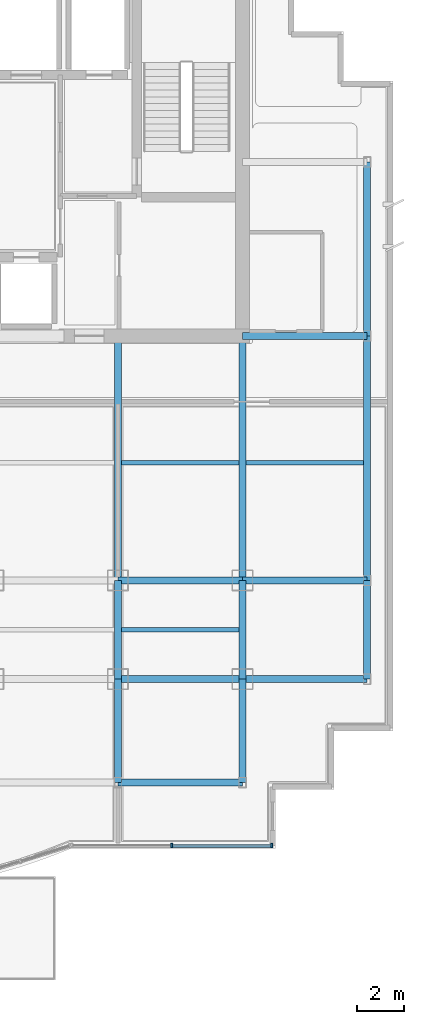
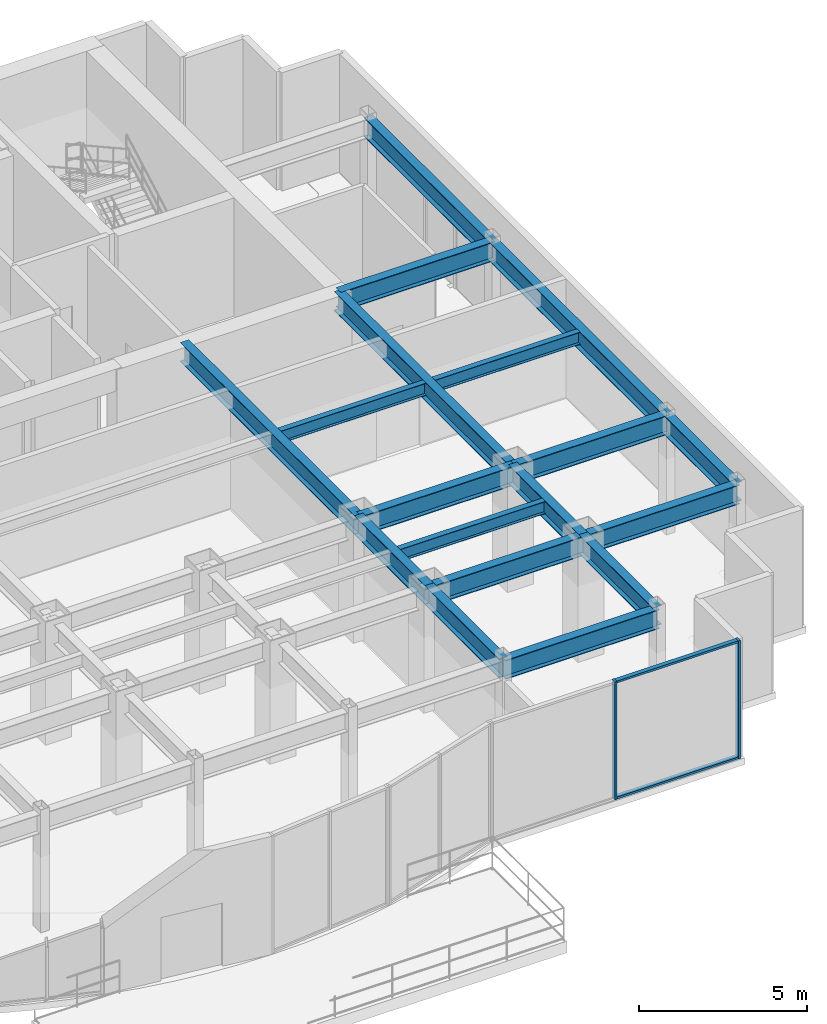
# One storey, part 4 of 9: 18 beams, 4 members, 1 element without a shape of its own.
"""IFC4 building model written with IfcOpenShell, lengths in metres."""

from ifc_helpers import new_model, si_unit, direction, frame, origin, origin_2d, place, context, subcontext, project, spatial, rectangle, i_section, extrude, source, transform, mapped, material, layer, layer_set, material_profile, profile_set, type_object, element, aggregate, save


model = new_model("IFC4")

# Units and contexts
model_context = context("Model", 3, precision=1e-05, world=origin(), true_north=direction((0.0, 1.0)))
body_context = subcontext(model_context, "Body", "Model", "MODEL_VIEW")
ifc_project = project(units=[si_unit("LENGTHUNIT", "METRE"), si_unit("AREAUNIT", "SQUARE_METRE"), si_unit("VOLUMEUNIT", "CUBIC_METRE"), si_unit("PLANEANGLEUNIT", "RADIAN"), si_unit("MASSUNIT", "GRAM", prefix="KILO")], contexts=[model_context])

# Site, building, storey
site_placement = place(None, origin())
site = spatial("IfcSite", under=ifc_project, at=site_placement, CompositionType="ELEMENT")
building_placement = place(site_placement, origin())
building = spatial("IfcBuilding", under=site, at=building_placement, Name="Qianlan Lanfeng Residences", CompositionType="ELEMENT")
storey_placement = place(building_placement, frame((0.0, 0.0, 134.699951171875)))
storey = spatial("IfcBuildingStorey", under=building, at=storey_placement, Name="L36", CompositionType="ELEMENT", Elevation=134.699951171875)

# Beams
ifc_material_1 = material(Name="Steel SN490B", Category="steel")
ifc_material_profile_1 = material_profile(ifc_material_1, i_section(OverallWidth=0.300048828125, OverallDepth=0.699951171875, WebThickness=0.012939453125, FlangeThickness=0.02392578125, at=origin_2d()), Name="H 700x300x13x24")
ifc_profile_set_1 = profile_set([ifc_material_profile_1], Name="Steel SN490B")
beam_type_1 = type_object("IfcBeamType", Name="G-750", PredefinedType="BEAM", material=ifc_profile_set_1)
beam_1_placement = place(storey_placement, frame((37.10009765625, 10.60009765625, 3.949951171875), z_axis=(1.0, 0.0, 0.0), x_axis=(0.0, 1.0, 0.0)))
element("IfcBeam", 1, at=beam_1_placement, inside=storey, type_object=beam_type_1, Name="Structural beam G-750", PredefinedType="BEAM", context=body_context, shape_type="SweptSolid", body=[
    extrude(i_section(OverallWidth=0.300048828125, OverallDepth=0.699951171875, WebThickness=0.012939453125, FlangeThickness=0.02392578125, at=origin_2d()), origin(), (0.0, 0.0, 1.0), 5.2998046875),
])
beam_2_placement = place(storey_placement, frame((42.39990234375, 10.60009765625, 3.949951171875), z_axis=(1.0, 0.0, 0.0), x_axis=(0.0, 1.0, 0.0)))
element("IfcBeam", 2, at=beam_2_placement, inside=storey, type_object=beam_type_1, Name="Structural beam G-750", PredefinedType="BEAM", context=body_context, shape_type="SweptSolid", body=[
    extrude(i_section(OverallWidth=0.300048828125, OverallDepth=0.699951171875, WebThickness=0.012939453125, FlangeThickness=0.02392578125, at=origin_2d()), origin(), (0.0, 0.0, 1.0), 5.300048828125),
])
beam_3_placement = place(storey_placement, frame((37.10009765625, 14.800048828125, 3.949951171875), z_axis=(1.0, 0.0, 0.0), x_axis=(0.0, 1.0, 0.0)))
element("IfcBeam", 3, at=beam_3_placement, inside=storey, type_object=beam_type_1, Name="Structural beam G-750", PredefinedType="BEAM", context=body_context, shape_type="SweptSolid", body=[
    extrude(i_section(OverallWidth=0.300048828125, OverallDepth=0.699951171875, WebThickness=0.012939453125, FlangeThickness=0.02392578125, at=origin_2d()), origin(), (0.0, 0.0, 1.0), 5.2998046875),
])
for number, where, z_axis, x_axis, name in (
    (4, (42.39990234375, 14.800048828125, 3.949951171875), (1.0, 0.0, 0.0), (0.0, 1.0, 0.0), "Structural beam G-750"),
    (5, (42.39990234375, 25.199951171875, 3.949951171875), (1.0, 0.0, 0.0), (0.0, 1.0, 0.0), "Structural beam G-750"),
):
    element("IfcBeam", number, at=place(storey_placement, frame(where, z_axis=z_axis, x_axis=x_axis)), inside=storey, type_object=beam_type_1, Name=name, PredefinedType="BEAM", context=body_context, shape_type="SweptSolid", body=[
        extrude(i_section(OverallWidth=0.300048828125, OverallDepth=0.699951171875, WebThickness=0.012939453125, FlangeThickness=0.02392578125, at=origin_2d()), origin(), (0.0, 0.0, 1.0), 5.300048828125),
    ])
beam_4_placement = place(storey_placement, frame((37.10009765625, 6.199951171875, 3.949951171875), z_axis=(0.0, 1.0, 0.0), x_axis=(-1.0, 0.0, 0.0)))
element("IfcBeam", 6, at=beam_4_placement, inside=storey, type_object=beam_type_1, Name="Structural beam G-750", PredefinedType="BEAM", context=body_context, shape_type="SweptSolid", body=[
    extrude(i_section(OverallWidth=0.300048828125, OverallDepth=0.699951171875, WebThickness=0.012939453125, FlangeThickness=0.02392578125, at=origin_2d()), origin(), (0.0, 0.0, 1.0), 4.400146484375),
])
beam_5_placement = place(storey_placement, frame((37.10009765625, 10.60009765625, 3.949951171875), z_axis=(0.0, 1.0, 0.0), x_axis=(-1.0, 0.0, 0.0)))
element("IfcBeam", 7, at=beam_5_placement, inside=storey, type_object=beam_type_1, Name="Structural beam G-750", PredefinedType="BEAM", context=body_context, shape_type="SweptSolid", body=[
    extrude(i_section(OverallWidth=0.300048828125, OverallDepth=0.699951171875, WebThickness=0.012939453125, FlangeThickness=0.02392578125, at=origin_2d()), origin(), (0.0, 0.0, 1.0), 4.199951171875),
])
beam_6_placement = place(storey_placement, frame((37.10009765625, 14.800048828125, 3.949951171875), z_axis=(0.0, 1.0, 0.0), x_axis=(-1.0, 0.0, 0.0)))
element("IfcBeam", 8, at=beam_6_placement, inside=storey, type_object=beam_type_1, Name="Structural beam G-750", PredefinedType="BEAM", context=body_context, shape_type="SweptSolid", body=[
    extrude(i_section(OverallWidth=0.300048828125, OverallDepth=0.699951171875, WebThickness=0.012939453125, FlangeThickness=0.02392578125, at=origin_2d()), origin(), (0.0, 0.0, 1.0), 10.39990234375),
])
beam_7_placement = place(storey_placement, frame((42.39990234375, 6.199951171875, 3.949951171875), z_axis=(0.0, 1.0, 0.0), x_axis=(-1.0, 0.0, 0.0)))
element("IfcBeam", 9, at=beam_7_placement, inside=storey, type_object=beam_type_1, Name="Structural beam G-750", PredefinedType="BEAM", context=body_context, shape_type="SweptSolid", body=[
    extrude(i_section(OverallWidth=0.300048828125, OverallDepth=0.699951171875, WebThickness=0.012939453125, FlangeThickness=0.02392578125, at=origin_2d()), origin(), (0.0, 0.0, 1.0), 4.400146484375),
])
beam_8_placement = place(storey_placement, frame((42.39990234375, 10.60009765625, 3.949951171875), z_axis=(0.0, 1.0, 0.0), x_axis=(-1.0, 0.0, 0.0)))
element("IfcBeam", 10, at=beam_8_placement, inside=storey, type_object=beam_type_1, Name="Structural beam G-750", PredefinedType="BEAM", context=body_context, shape_type="SweptSolid", body=[
    extrude(i_section(OverallWidth=0.300048828125, OverallDepth=0.699951171875, WebThickness=0.012939453125, FlangeThickness=0.02392578125, at=origin_2d()), origin(), (0.0, 0.0, 1.0), 4.199951171875),
])
beam_9_placement = place(storey_placement, frame((42.39990234375, 14.800048828125, 3.949951171875), z_axis=(0.0, 1.0, 0.0), x_axis=(-1.0, 0.0, 0.0)))
element("IfcBeam", 11, at=beam_9_placement, inside=storey, type_object=beam_type_1, Name="Structural beam G-750", PredefinedType="BEAM", context=body_context, shape_type="SweptSolid", body=[
    extrude(i_section(OverallWidth=0.300048828125, OverallDepth=0.699951171875, WebThickness=0.012939453125, FlangeThickness=0.02392578125, at=origin_2d()), origin(), (0.0, 0.0, 1.0), 10.39990234375),
])
ifc_material_profile_2 = material_profile(ifc_material_1, i_section(OverallWidth=0.199951171875, OverallDepth=0.449951171875, WebThickness=0.009033203125, FlangeThickness=0.013916015625, at=origin_2d()), Name="H 450x200x9x14")
ifc_profile_set_2 = profile_set([ifc_material_profile_2], Name="Steel SN490B")
beam_type_2 = type_object("IfcBeamType", Name="J-450", PredefinedType="JOIST", material=ifc_profile_set_2)
for number, where, z_axis, x_axis, name in (
    (12, (37.25, 12.699951171875, 4.074951171875), (1.0, 0.0, 0.0), (0.0, 1.0, 0.0), "Structural beam J-450"),
    (13, (37.25, 19.800048828125, 4.074951171875), (1.0, 0.0, 0.0), (0.0, 1.0, 0.0), "Structural beam J-450"),
    (14, (42.550048828125, 19.800048828125, 4.074951171875), (1.0, 0.0, 0.0), (0.0, 1.0, 0.0), "Structural beam J-450"),
):
    element("IfcBeam", number, at=place(storey_placement, frame(where, z_axis=z_axis, x_axis=x_axis)), inside=storey, type_object=beam_type_2, Name=name, PredefinedType="JOIST", context=body_context, shape_type="SweptSolid", body=[
        extrude(i_section(OverallWidth=0.199951171875, OverallDepth=0.449951171875, WebThickness=0.009033203125, FlangeThickness=0.013916015625, at=origin_2d()), origin(), (0.0, 0.0, 1.0), 5.0),
    ])
ifc_material_profile_3 = material_profile(ifc_material_1, i_section(OverallWidth=0.300048828125, OverallDepth=0.699951171875, WebThickness=0.012939453125, FlangeThickness=0.02392578125, at=origin_2d()), Name="H 700x300x13x24")
ifc_profile_set_3 = profile_set([ifc_material_profile_3], Name="Steel SN490B")
beam_type_3 = type_object("IfcBeamType", Name="SG-750", PredefinedType="SPANDREL", material=ifc_profile_set_3)
beam_10_placement = place(storey_placement, frame((37.10009765625, 6.199951171875, 3.93994140625), z_axis=(1.0, 0.0, 0.0), x_axis=(0.0, 1.0, 0.0)))
element("IfcBeam", 15, at=beam_10_placement, inside=storey, type_object=beam_type_3, Name="Structural beam SG-750", PredefinedType="SPANDREL", context=body_context, shape_type="SweptSolid", body=[
    extrude(i_section(OverallWidth=0.300048828125, OverallDepth=0.699951171875, WebThickness=0.012939453125, FlangeThickness=0.02392578125, at=origin_2d()), origin(), (0.0, 0.0, 1.0), 5.2998046875),
])
beam_11_placement = place(storey_placement, frame((47.699951171875, 10.60009765625, 3.93994140625), z_axis=(0.0, 1.0, 0.0), x_axis=(-1.0, 0.0, 0.0)))
element("IfcBeam", 16, at=beam_11_placement, inside=storey, type_object=beam_type_3, Name="Structural beam SG-750", PredefinedType="SPANDREL", context=body_context, shape_type="SweptSolid", body=[
    extrude(i_section(OverallWidth=0.300048828125, OverallDepth=0.699951171875, WebThickness=0.012939453125, FlangeThickness=0.02392578125, at=origin_2d()), origin(), (0.0, 0.0, 1.0), 4.199951171875),
])
beam_12_placement = place(storey_placement, frame((47.699951171875, 14.800048828125, 3.93994140625), z_axis=(0.0, 1.0, 0.0), x_axis=(-1.0, 0.0, 0.0)))
element("IfcBeam", 17, at=beam_12_placement, inside=storey, type_object=beam_type_3, Name="Structural beam SG-750", PredefinedType="SPANDREL", context=body_context, shape_type="SweptSolid", body=[
    extrude(i_section(OverallWidth=0.300048828125, OverallDepth=0.699951171875, WebThickness=0.012939453125, FlangeThickness=0.02392578125, at=origin_2d()), origin(), (0.0, 0.0, 1.0), 10.39990234375),
])
beam_13_placement = place(storey_placement, frame((47.699951171875, 25.199951171875, 3.93994140625), z_axis=(0.0, 1.0, 0.0), x_axis=(-1.0, 0.0, 0.0)))
element("IfcBeam", 18, at=beam_13_placement, inside=storey, type_object=beam_type_3, Name="Structural beam SG-750", PredefinedType="SPANDREL", context=body_context, shape_type="SweptSolid", body=[
    extrude(i_section(OverallWidth=0.300048828125, OverallDepth=0.699951171875, WebThickness=0.012939453125, FlangeThickness=0.02392578125, at=origin_2d()), origin(), (0.0, 0.0, 1.0), 7.400146484375),
])

# Curtain wall, members
ifc_material_2 = material(Name="Anodised Bronze Aluminium 6063-T6", Category="aluminium")
ifc_layer = layer(ifc_material_2, 0.219970703125)
ifc_layer_set = layer_set([ifc_layer], Name="Anodised Bronze Aluminium 6063-T6")
curtain_wall_type = type_object("IfcCurtainWallType", Name="CW-04", PredefinedType="NOTDEFINED", material=ifc_layer_set)
curtain_wall_placement = place(storey_placement, origin())
curtain_wall = element("IfcCurtainWall", 19, at=curtain_wall_placement, inside=storey, type_object=curtain_wall_type, Name="L36 Unitised Curtain Wall CWR-L36-05 (CW-04)", PredefinedType="NOTDEFINED")
ifc_material_profile_4 = material_profile(ifc_material_2, rectangle(XDim=0.074951171875, YDim=0.179931640625, at=origin_2d()), Name="ALU MULLION 75x180")
ifc_profile_set_4 = profile_set([ifc_material_profile_4], Name="Anodised Bronze Aluminium 6063-T6")
member_type_1 = type_object("IfcMemberType", Name="CWM-180", PredefinedType="MULLION", material=ifc_profile_set_4)
shared_shape_1 = source(origin(), body_context, "Body", "SweptSolid", [
    extrude(rectangle(XDim=0.074951171875, YDim=0.179931640625, at=origin_2d()), origin(), (0.0, 0.0, 1.0), 4.300048828125),
])
member_1_placement = place(storey_placement, frame((39.388427734375, 3.52001953125, 0.0), z_axis=(0.0, 0.0, 1.0), x_axis=(1.0, 0.0, 0.0)))
member_1 = element("IfcMember", 20, at=member_1_placement, type_object=member_type_1, Name="CWR-L36-05 Mullion 2", PredefinedType="MULLION", context=body_context, shape_type="MappedRepresentation", body=[
    mapped(shared_shape_1, transform((0.0, 0.0, 0.0), scale=1.0)),
])
member_2_placement = place(storey_placement, frame((43.642578125, 3.52001953125, 0.0), z_axis=(0.0, 0.0, 1.0), x_axis=(1.0, 0.0, 0.0)))
member_2 = element("IfcMember", 21, at=member_2_placement, type_object=member_type_1, Name="CWR-L36-05 Mullion 3", PredefinedType="MULLION", context=body_context, shape_type="MappedRepresentation", body=[
    mapped(shared_shape_1, transform((0.0, 0.0, 0.0), scale=1.0)),
])
ifc_material_profile_5 = material_profile(ifc_material_2, rectangle(XDim=0.074951171875, YDim=0.14990234375, at=origin_2d()), Name="ALU TRANSOM 75x150")
ifc_profile_set_5 = profile_set([ifc_material_profile_5], Name="Anodised Bronze Aluminium 6063-T6")
member_type_2 = type_object("IfcMemberType", Name="CWT-150", PredefinedType="USERDEFINED", material=ifc_profile_set_5)
shared_shape_2 = source(origin(), body_context, "Body", "SweptSolid", [
    extrude(rectangle(XDim=0.074951171875, YDim=0.14990234375, at=origin_2d()), origin(), (0.0, 0.0, 1.0), 4.178955078125),
])
member_3_placement = place(storey_placement, frame((39.426025390625, 3.52001953125, 0.03759765625), z_axis=(1.0, 0.0, 0.0), x_axis=(0.0, 0.0, 1.0)))
member_3 = element("IfcMember", 22, at=member_3_placement, type_object=member_type_2, Name="CWR-L36-05 Transom 2-BOT", ObjectType="TRANSOM", PredefinedType="USERDEFINED", context=body_context, shape_type="MappedRepresentation", body=[
    mapped(shared_shape_2, transform((0.0, 0.0, 0.0), scale=1.0)),
])
member_4_placement = place(storey_placement, frame((39.426025390625, 3.52001953125, 4.262451171875), z_axis=(1.0, 0.0, 0.0), x_axis=(0.0, 0.0, 1.0)))
member_4 = element("IfcMember", 23, at=member_4_placement, type_object=member_type_2, Name="CWR-L36-05 Transom 2-TOP", ObjectType="TRANSOM", PredefinedType="USERDEFINED", context=body_context, shape_type="MappedRepresentation", body=[
    mapped(shared_shape_2, transform((0.0, 0.0, 0.0), scale=1.0)),
])
aggregate(curtain_wall, [member_1, member_2, member_3, member_4])

save(model, "model.ifc")
